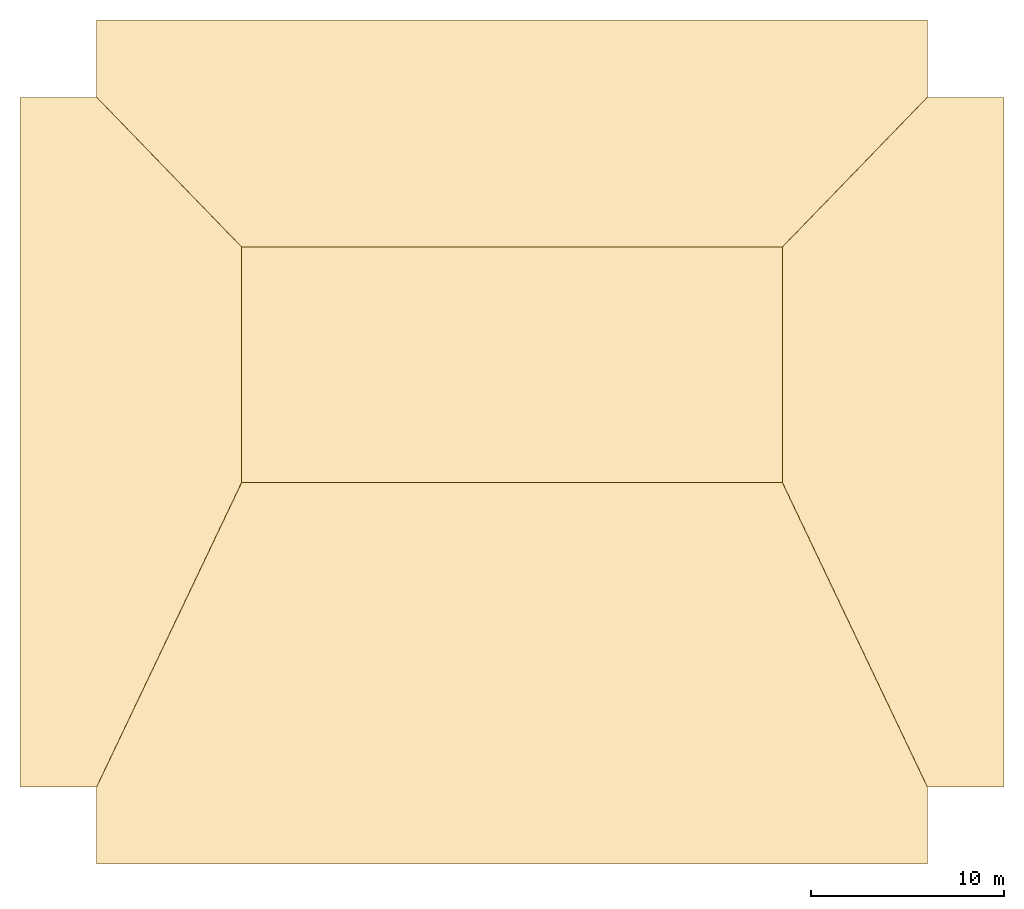
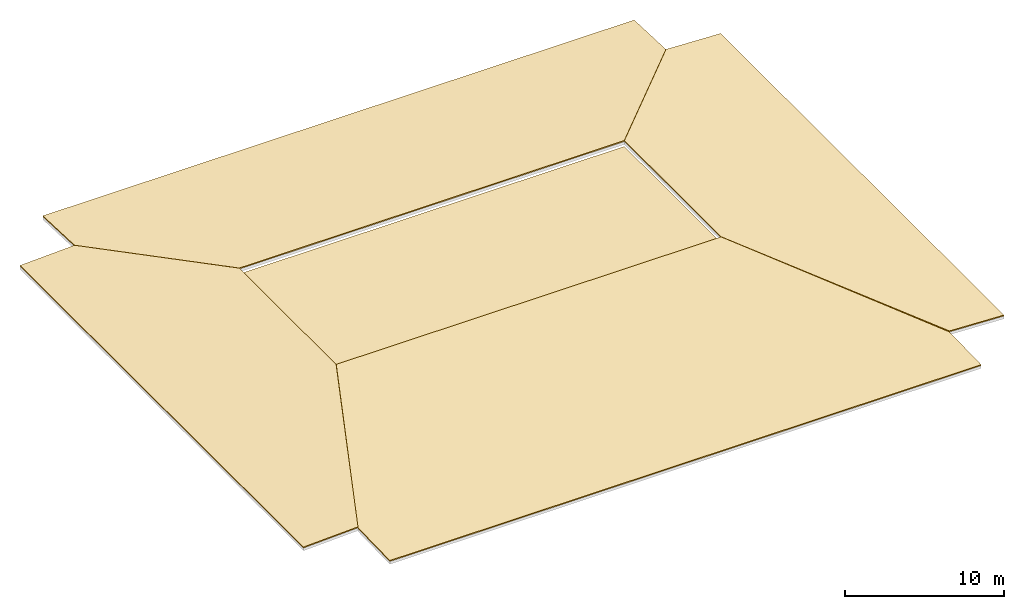
# One storey, part 2 of 2: 5 coverings.
"""IFC4 building model written with IfcOpenShell, lengths in metres."""

import ifcopenshell
import ifcopenshell.guid

model = None  # the IFC model being written
_history = None  # IfcOwnerHistory: only IFC2X3 demands one
_inside = {}  # id of a spatial element -> (the spatial element, [elements in it])
_under = {}  # id of a project, library or spatial element -> (it, [spatial elements below it])
_declared = {}  # id of a project -> (the project, [libraries it declares])
_typed = {}  # id of a type object -> (the type object, [elements of that type])
_made_of = {}  # id of a material, layer set ... -> (it, [elements and type objects made of it])


def new_model(schema):
    """Start an empty IFC model of exactly this schema.

    Asked for "IFC4X3", IfcOpenShell would pick the latest addendum, in which some entities
    have other attributes; the version numbers below select the first issue.
    IFC2X3 requires an IfcOwnerHistory on every rooted entity: one is made here for all.
    """
    global model, _history
    if schema == "IFC4X3":
        model = ifcopenshell.file(schema_version=(4, 3, 0, 0))
    else:
        model = ifcopenshell.file(schema=schema)
    _inside.clear()
    _under.clear()
    _declared.clear()
    _typed.clear()
    _made_of.clear()
    _history = None
    if model.schema == "IFC2X3":
        org = make("IfcOrganization", Name="unknown")
        user = make(
            "IfcPersonAndOrganization",
            ThePerson=make("IfcPerson", FamilyName="unknown"),
            TheOrganization=org,
        )
        app = make(
            "IfcApplication",
            ApplicationDeveloper=org,
            Version="unknown",
            ApplicationFullName="unknown",
            ApplicationIdentifier="unknown",
        )
        _history = make(
            "IfcOwnerHistory",
            OwningUser=user,
            OwningApplication=app,
            ChangeAction="ADDED",
            CreationDate=0,
        )
    return model


def make(cls, **values):
    """One entity of the class cls with the attributes given. An attribute that is None is left unset."""
    return model.create_entity(
        cls, **{name: value for name, value in values.items() if value is not None}
    )


def rooted(cls, **values):
    """An entity with a GlobalId (a new one), such as an element, a storey or a relation."""
    return make(cls, GlobalId=ifcopenshell.guid.new(), OwnerHistory=_history, **values)


def si_unit(unit_type, name, prefix=None):
    """IfcSIUnit, for example si_unit("LENGTHUNIT", "METRE", prefix="MILLI")."""
    return make("IfcSIUnit", UnitType=unit_type, Prefix=prefix, Name=name)


def assignment(units):
    """IfcUnitAssignment: the units of a project."""
    return None if units is None else make("IfcUnitAssignment", Units=units)


def point(xyz):
    """IfcCartesianPoint."""
    return None if xyz is None else make("IfcCartesianPoint", Coordinates=xyz)


def direction(xyz):
    """IfcDirection."""
    return None if xyz is None else make("IfcDirection", DirectionRatios=xyz)


def frame(location, z_axis=None, x_axis=None):
    """IfcAxis2Placement3D, a coordinate frame: its origin and axes. An axis left out is left unset."""
    return make(
        "IfcAxis2Placement3D",
        Location=point(location),
        Axis=direction(z_axis),
        RefDirection=direction(x_axis),
    )


def origin():
    """The frame at (0, 0, 0) with its axes left unset."""
    return frame((0.0, 0.0, 0.0))


def place(relative_to, where):
    """IfcLocalPlacement: puts the frame where relative to a parent placement (None: the world)."""
    return make(
        "IfcLocalPlacement", PlacementRelTo=relative_to, RelativePlacement=where
    )


def context(
    kind, dimensions, precision=None, world=None, true_north=None, identifier=None
):
    """IfcGeometricRepresentationContext, for example the 3D "Model" context."""
    return make(
        "IfcGeometricRepresentationContext",
        ContextIdentifier=identifier,
        ContextType=kind,
        CoordinateSpaceDimension=dimensions,
        Precision=precision,
        WorldCoordinateSystem=world,
        TrueNorth=true_north,
    )


def subcontext(parent, identifier, kind, view, scale=None):
    """IfcGeometricRepresentationSubContext, for example "Body" below "Model"."""
    return make(
        "IfcGeometricRepresentationSubContext",
        ContextIdentifier=identifier,
        ContextType=kind,
        ParentContext=parent,
        TargetScale=scale,
        TargetView=view,
    )


def project(units=None, contexts=None):
    """IfcProject with its units and contexts."""
    return rooted(
        "IfcProject",
        Name="project",
        RepresentationContexts=contexts,
        UnitsInContext=assignment(units),
    )


def spatial(cls, under=None, at=None, **own):
    """A site, building, storey or space (cls), placed at a placement, below another one or the project."""
    s = rooted(cls, ObjectPlacement=at, **own)
    if under is not None:
        _under.setdefault(under.id(), (under, []))[1].append(s)
    return s


def polyline(points):
    """IfcPolyline through the points."""
    return make("IfcPolyline", Points=[point(p) for p in points])


def outline(outer, holes=None, kind="AREA"):
    """IfcArbitraryClosedProfileDef: a profile drawn as a closed curve; with holes, ...WithVoids."""
    if holes is None:
        return make("IfcArbitraryClosedProfileDef", ProfileType=kind, OuterCurve=outer)
    return make(
        "IfcArbitraryProfileDefWithVoids",
        ProfileType=kind,
        OuterCurve=outer,
        InnerCurves=holes,
    )


def extrude(swept, where, along, depth):
    """IfcExtrudedAreaSolid: the profile swept, set in the frame where, extruded along a direction by depth."""
    return make(
        "IfcExtrudedAreaSolid",
        SweptArea=swept,
        Position=where,
        ExtrudedDirection=direction(along),
        Depth=depth,
    )


def shape(context_of_items, identifier, shape_type, items):
    """IfcShapeRepresentation: the items that make up one representation, for example the "Body"."""
    return make(
        "IfcShapeRepresentation",
        ContextOfItems=context_of_items,
        RepresentationIdentifier=identifier,
        RepresentationType=shape_type,
        Items=items,
    )


def material(Name=None, Category=None):
    """IfcMaterial."""
    return make("IfcMaterial", Name=Name, Category=Category)


def layer(
    of_material, thickness, ventilated=None, Name=None, Category=None, Priority=None
):
    """IfcMaterialLayer: one layer of a wall or slab, of a material (None: an air gap)."""
    return make(
        "IfcMaterialLayer",
        Material=of_material,
        LayerThickness=thickness,
        IsVentilated=ventilated,
        Name=Name,
        Category=Category,
        Priority=Priority,
    )


def layer_set(layers, Name=None):
    """IfcMaterialLayerSet."""
    return make("IfcMaterialLayerSet", MaterialLayers=layers, LayerSetName=Name)


def made_of(thing, what):
    """Note that an element or type object is made of a material, layer set ...; save() writes the relation."""
    if what is not None:
        _made_of.setdefault(what.id(), (what, []))[1].append(thing)
    return thing


def type_object(cls, material=None, **own):
    """A type object (cls), such as IfcWallType, which elements share."""
    return made_of(rooted(cls, **own), material)


def element(
    cls,
    number,
    at=None,
    inside=None,
    cuts=None,
    type_object=None,
    material=None,
    context=None,
    identifier="Body",
    shape_type=None,
    held_by="IfcProductDefinitionShape",
    body=None,
    shapes=None,
    **own,
):
    """One element of the class cls, such as IfcWall. Its Tag is "e" and its number.

    at: its placement. inside: the storey or other place that contains it. cuts: it is an
    opening in that element (IfcRelVoidsElement). A single representation is given by context,
    identifier, shape_type and body (its items); several are given by shapes. held_by: the class
    of the entity that holds the representations. save() writes the other relations.
    """
    e = rooted(cls, Tag="e%d" % number, ObjectPlacement=at, **own)
    if body is not None:
        shapes = [shape(context, identifier, shape_type, body)]
    if shapes is not None:
        e.Representation = make(held_by, Representations=shapes)
    if inside is not None:
        _inside.setdefault(inside.id(), (inside, []))[1].append(e)
    if cuts is not None:
        rooted(
            "IfcRelVoidsElement", RelatingBuildingElement=cuts, RelatedOpeningElement=e
        )
    if type_object is not None:
        _typed.setdefault(type_object.id(), (type_object, []))[1].append(e)
    return made_of(e, material)


def aggregate(whole, parts):
    """IfcRelAggregates: a whole, such as a stair, and the parts it consists of."""
    return rooted("IfcRelAggregates", RelatingObject=whole, RelatedObjects=parts)


def save(model, path):
    """Write the relations noted so far, then the file.

    IfcRelAggregates (storeys below a building ...), IfcRelContainedInSpatialStructure (elements
    in a storey), IfcRelDefinesByType, IfcRelAssociatesMaterial and IfcRelDeclares: one each for
    every whole, place, type object, material and project.
    """
    for whole, parts in _under.values():
        aggregate(whole, parts)
    for where, things in _inside.values():
        rooted(
            "IfcRelContainedInSpatialStructure",
            RelatedElements=things,
            RelatingStructure=where,
        )
    for kind, things in _typed.values():
        rooted("IfcRelDefinesByType", RelatedObjects=things, RelatingType=kind)
    for what, things in _made_of.values():
        rooted("IfcRelAssociatesMaterial", RelatedObjects=things, RelatingMaterial=what)
    for by, libraries in _declared.values():
        rooted("IfcRelDeclares", RelatingContext=by, RelatedDefinitions=libraries)
    model.write(path)


model = new_model("IFC4")

# Units and contexts
model_context = context("Model", 3, precision=1e-05, world=origin(), true_north=direction((0.0, 1.0)))
body_context = subcontext(model_context, "Body", "Model", "MODEL_VIEW")
ifc_project = project(units=[si_unit("LENGTHUNIT", "METRE"), si_unit("AREAUNIT", "SQUARE_METRE"), si_unit("VOLUMEUNIT", "CUBIC_METRE"), si_unit("PLANEANGLEUNIT", "RADIAN"), si_unit("MASSUNIT", "GRAM", prefix="KILO")], contexts=[model_context])

# Site, building, storey
site_placement = place(None, origin())
site = spatial("IfcSite", under=ifc_project, at=site_placement, CompositionType="ELEMENT")
building_placement = place(site_placement, origin())
building = spatial("IfcBuilding", under=site, at=building_placement, Name="Khoronbel Lancet Exchange", CompositionType="ELEMENT")
storey_placement = place(building_placement, frame((0.0, 0.0, 383.9599609375)))
storey = spatial("IfcBuildingStorey", under=building, at=storey_placement, Name="ROOF", CompositionType="ELEMENT", Elevation=383.9599609375)

# Coverings
ifc_material = material(Name="Standing-Seam Bronze & SBS Waterproofing Assembly", Category="aluminium")
ifc_layer = layer(ifc_material, 0.080078125, Name="Standing-Seam Bronze & SBS Waterproofing Assembly")
ifc_layer_set = layer_set([ifc_layer], Name="Standing-Seam Bronze & SBS Waterproofing Assembly")
covering_type = type_object("IfcCoveringType", Name="COV-ROOF1", PredefinedType="ROOFING", material=ifc_layer_set)
covering_1_placement = place(storey_placement, frame((0.0, 0.0, 0.239990234375)))
element("IfcCovering", 1, at=covering_1_placement, inside=storey, type_object=covering_type, Name="Crown roof inner lantern horizontal deck bronze roofing", PredefinedType="ROOFING", context=body_context, shape_type="SweptSolid", body=[
    extrude(outline(polyline([(22.449951171875, 29.60009765625), (50.449951171875, 29.60009765625), (50.449951171875, 41.800048828125), (22.449951171875, 41.800048828125), (22.449951171875, 29.60009765625)])), origin(), (0.0, 0.0, 1.0), 0.080078125),
])
covering_2_placement = place(storey_placement, frame((14.949951171875, 9.85009765625, 0.2900390625), z_axis=(0.0, -0.024302515502, 0.999704650254), x_axis=(1.0, 0.0, 0.0)))
element("IfcCovering", 2, at=covering_2_placement, inside=storey, type_object=covering_type, Name="Crown roof standing-seam bronze crown roofing SOUTH", PredefinedType="ROOFING", context=body_context, shape_type="SweptSolid", body=[
    extrude(outline(polyline([(0.0, 0.0), (43.0, 0.0), (43.0, 3.99609375), (35.4951171875, 19.750732421875), (7.505126953125, 19.750732421875), (0.0, 3.99609375), (0.0, 0.0)])), origin(), (0.0, 0.0, -1.0), 0.080078125),
])
covering_3_placement = place(storey_placement, frame((57.949951171875, 53.550048828125, 0.2900390625), z_axis=(0.0, 0.040809942177, 0.999166927305), x_axis=(-1.0, 0.0, 0.0)))
element("IfcCovering", 3, at=covering_3_placement, inside=storey, type_object=covering_type, Name="Crown roof standing-seam bronze crown roofing NORTH", PredefinedType="ROOFING", context=body_context, shape_type="SweptSolid", body=[
    extrude(outline(polyline([(0.0, 0.0), (43.0, 0.0), (43.0, 3.99853515625), (35.494873046875, 11.7548828125), (7.5048828125, 11.7548828125), (0.0, 3.99853515625), (0.0, 0.0)])), origin(), (0.0, 0.0, -1.0), 0.080078125),
])
covering_4_placement = place(storey_placement, frame((10.97998046875, 49.550048828125, 0.2900390625), z_axis=(-0.04181042668, 0.0, 0.999125561789), x_axis=(0.0, -1.0, 0.0)))
element("IfcCovering", 4, at=covering_4_placement, inside=storey, type_object=covering_type, Name="Crown roof standing-seam bronze crown roofing WEST", PredefinedType="ROOFING", context=body_context, shape_type="SweptSolid", body=[
    extrude(outline(polyline([(0.0, 0.0), (35.699951171875, 0.0), (35.699951171875, 3.968505859375), (19.949951171875, 11.47509765625), (7.75, 11.47509765625), (0.0, 3.968505859375), (0.0, 0.0)])), origin(), (0.0, 0.0, -1.0), 0.080078125),
])
covering_5_placement = place(storey_placement, frame((61.919921875, 13.85009765625, 0.2900390625), z_axis=(0.041811559337, 0.0, 0.99912551439), x_axis=(0.0, 1.0, 0.0)))
element("IfcCovering", 5, at=covering_5_placement, inside=storey, type_object=covering_type, Name="Crown roof standing-seam bronze crown roofing EAST", PredefinedType="ROOFING", context=body_context, shape_type="SweptSolid", body=[
    extrude(outline(polyline([(0.0, 0.0), (35.699951171875, 0.0), (35.699951171875, 3.96826171875), (27.949951171875, 11.474853515625), (15.75, 11.474853515625), (0.0, 3.96826171875), (0.0, 0.0)])), origin(), (0.0, 0.0, -1.0), 0.080078125),
])

save(model, "model.ifc")
